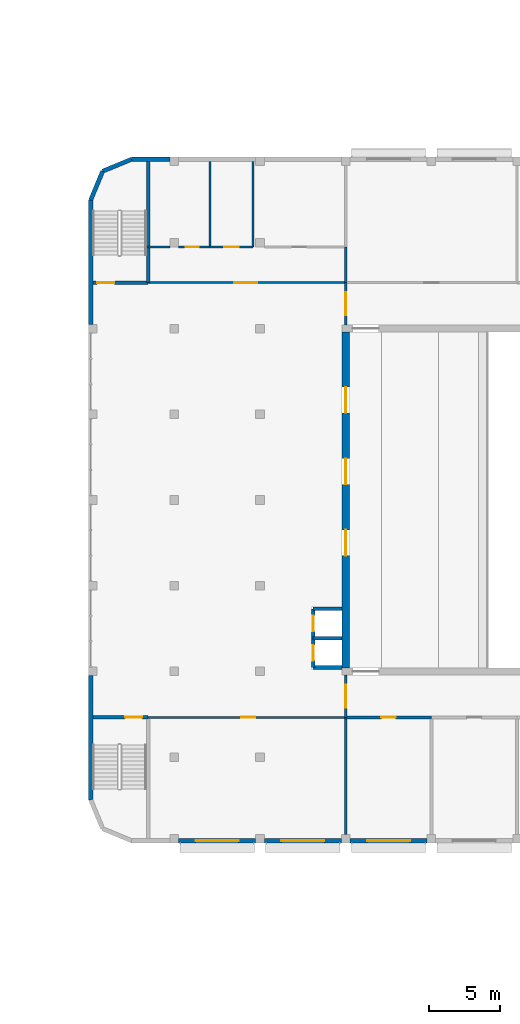
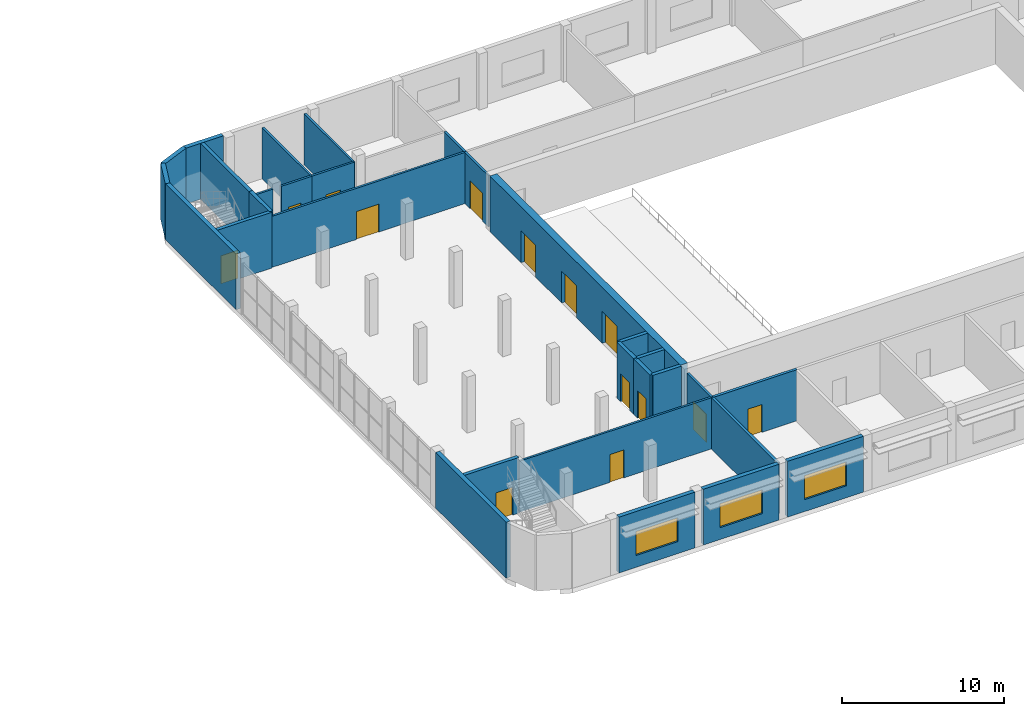
# One storey, part 20 of 45: 30 walls, 14 doors, 3 windows, 17 openings.
"""IFC4 building model written with IfcOpenShell, lengths in metres."""

from ifc_helpers import new_model, si_unit, direction, frame, frame_2d, origin, place, context, subcontext, project, spatial, rectangle, extrude, material, layer, layer_set, type_object, element, fill, save


model = new_model("IFC4")

# Units and contexts
model_context = context("Model", 3, precision=1e-05, world=origin(), true_north=direction((0.0, 1.0)))
body_context = subcontext(model_context, "Body", "Model", "MODEL_VIEW")
ifc_project = project(units=[si_unit("LENGTHUNIT", "METRE"), si_unit("AREAUNIT", "SQUARE_METRE"), si_unit("VOLUMEUNIT", "CUBIC_METRE"), si_unit("PLANEANGLEUNIT", "RADIAN"), si_unit("MASSUNIT", "GRAM", prefix="KILO")], contexts=[model_context])

# Site, building, storey
site_placement = place(None, origin())
site = spatial("IfcSite", under=ifc_project, at=site_placement, CompositionType="ELEMENT")
building_placement = place(site_placement, origin())
building = spatial("IfcBuilding", under=site, at=building_placement, Name="Nakaniwa Court", CompositionType="ELEMENT")
storey_placement = place(building_placement, frame((0.0, 0.0, 11.39990234375)))
storey = spatial("IfcBuildingStorey", under=building, at=storey_placement, Name="L02", CompositionType="ELEMENT", Elevation=11.39990234375)

# Wall
ifc_material_1 = material(Name="Double steel stud acoustic partition with mineral wool", Category="steel")
ifc_layer_1 = layer(ifc_material_1, 0.199951171875)
ifc_layer_set_1 = layer_set([ifc_layer_1], Name="Double steel stud acoustic partition with mineral wool")
wall_type_1 = type_object("IfcWallType", Name="Acoustic partition 200", PredefinedType="PARTITIONING", material=ifc_layer_set_1)
wall_1_placement = place(storey_placement, frame((170.0, 64.784912109375, 0.0), z_axis=(0.0, 0.0, 1.0), x_axis=(0.0, -1.0, 0.0)))
element("IfcWall", 1, at=wall_1_placement, inside=storey, type_object=wall_type_1, Name="L02 partition wall 19", PredefinedType="PARTITIONING", context=body_context, shape_type="SweptSolid", body=[
    extrude(rectangle(XDim=8.184814453125, YDim=0.199951171875, at=frame_2d((4.09228515625, 0.0))), origin(), (0.0, 0.0, 1.0), 3.85009765625),
])

# Wall, opening, door
wall_2_placement = place(storey_placement, frame((176.0, 64.784912109375, 0.0), z_axis=(0.0, 0.0, 1.0), x_axis=(-1.0, 0.0, 0.0)))
wall_2 = element("IfcWall", 2, at=wall_2_placement, inside=storey, type_object=wall_type_1, Name="L02 partition wall 20", PredefinedType="PARTITIONING", context=body_context, shape_type="SweptSolid", body=[
    extrude(rectangle(XDim=6.0, YDim=0.199951171875, at=frame_2d((3.0, 0.0))), origin(), (0.0, 0.0, 1.0), 3.85009765625),
])
opening_1_placement = place(wall_2_placement, frame((2.5, 0.0, 0.0)))
opening_1 = element("IfcOpeningElement", 3, at=opening_1_placement, cuts=wall_2, Name="Opening HD-86", PredefinedType="OPENING", context=body_context, shape_type="SweptSolid", body=[
    extrude(rectangle(XDim=1.0, YDim=2.10009765625, at=frame_2d((0.5, 1.050048828125))), frame((0.0, 0.10986328125, 0.0), z_axis=(0.0, -1.0, 0.0), x_axis=(1.0, 0.0, 0.0)), (0.0, 0.0, 1.0), 0.219970703125),
])
ifc_material_2 = material(Name="Solid-core timber door leaf in steel frame", Category="steel")
door_type_1 = type_object("IfcDoorType", Name="Hall door 1000x2100", OperationType="SINGLE_SWING_LEFT", PredefinedType="DOOR", material=ifc_material_2)
door_1_placement = place(opening_1_placement, origin())
door_1 = element("IfcDoor", 4, at=door_1_placement, inside=storey, type_object=door_type_1, Name="L02 door Practice-room-1", OperationType="SINGLE_SWING_LEFT", OverallHeight=2.10009765625, OverallWidth=1.0, PredefinedType="DOOR", context=body_context, shape_type="SweptSolid", body=[
    extrude(rectangle(XDim=1.0, YDim=2.10009765625, at=frame_2d((0.5, 1.050048828125))), frame((0.0, 0.02490234375, 0.0), z_axis=(0.0, -1.0, 0.0), x_axis=(1.0, 0.0, 0.0)), (0.0, 0.0, 1.0), 0.050048828125),
])
fill(opening_1, door_1)

# Wall, openings, doors
ifc_material_3 = material(Name="Concrete C50/60", Category="concrete")
ifc_layer_2 = layer(ifc_material_3, 0.5)
ifc_layer_set_2 = layer_set([ifc_layer_2], Name="Concrete C50/60")
wall_type_2 = type_object("IfcWallType", Name="Auditorium acoustic mass wall RC 500", PredefinedType="SHEAR", material=ifc_layer_set_2)
wall_3_placement = place(storey_placement, frame((170.0, 68.25, 0.0), z_axis=(0.0, 0.0, 1.0), x_axis=(0.0, 1.0, 0.0)))
wall_3 = element("IfcWall", 5, at=wall_3_placement, inside=storey, type_object=wall_type_2, Name="Auditorium west wall L02", PredefinedType="SHEAR", context=body_context, shape_type="SweptSolid", body=[
    extrude(rectangle(XDim=23.5, YDim=0.5, at=frame_2d((11.75, 0.0))), origin(), (0.0, 0.0, 1.0), 4.2001953125),
])
opening_2_placement = place(wall_3_placement, frame((7.85009765625, 0.0, 0.0)))
opening_2 = element("IfcOpeningElement", 6, at=opening_2_placement, cuts=wall_3, Name="Opening HD-105", PredefinedType="OPENING", context=body_context, shape_type="SweptSolid", body=[
    extrude(rectangle(XDim=1.800048828125, YDim=2.39990234375, at=frame_2d((0.89990234375, 1.199951171875))), frame((0.0, 0.260009765625, 0.0), z_axis=(0.0, -1.0, 0.0), x_axis=(1.0, 0.0, 0.0)), (0.0, 0.0, 1.0), 0.52001953125),
])
opening_3_placement = place(wall_3_placement, frame((12.85009765625, 0.0, 0.0)))
opening_3 = element("IfcOpeningElement", 7, at=opening_3_placement, cuts=wall_3, Name="Opening HD-106", PredefinedType="OPENING", context=body_context, shape_type="SweptSolid", body=[
    extrude(rectangle(XDim=1.800048828125, YDim=2.39990234375, at=frame_2d((0.89990234375, 1.199951171875))), frame((0.0, 0.260009765625, 0.0), z_axis=(0.0, -1.0, 0.0), x_axis=(1.0, 0.0, 0.0)), (0.0, 0.0, 1.0), 0.52001953125),
])
opening_4_placement = place(wall_3_placement, frame((17.85009765625, 0.0, 0.0)))
opening_4 = element("IfcOpeningElement", 8, at=opening_4_placement, cuts=wall_3, Name="Opening HD-107", PredefinedType="OPENING", context=body_context, shape_type="SweptSolid", body=[
    extrude(rectangle(XDim=1.800048828125, YDim=2.39990234375, at=frame_2d((0.89990234375, 1.199951171875))), frame((0.0, 0.260009765625, 0.0), z_axis=(0.0, -1.0, 0.0), x_axis=(1.0, 0.0, 0.0)), (0.0, 0.0, 1.0), 0.52001953125),
])
ifc_material_4 = material(Name="Acoustic solid-core timber double leaf in steel frame", Category="steel")
door_type_2 = type_object("IfcDoorType", Name="Hall acoustic double door 1800x2400", OperationType="DOUBLE_DOOR_SINGLE_SWING", PredefinedType="DOOR", material=ifc_material_4)
door_2_placement = place(opening_2_placement, origin())
door_2 = element("IfcDoor", 9, at=door_2_placement, inside=storey, type_object=door_type_2, Name="L02 door stalls-W1", OperationType="DOUBLE_DOOR_SINGLE_SWING", OverallHeight=2.39990234375, OverallWidth=1.800048828125, PredefinedType="DOOR", context=body_context, shape_type="SweptSolid", body=[
    extrude(rectangle(XDim=1.800048828125, YDim=2.39990234375, at=frame_2d((0.89990234375, 1.199951171875))), frame((0.0, 0.02490234375, 0.0), z_axis=(0.0, -1.0, 0.0), x_axis=(1.0, 0.0, 0.0)), (0.0, 0.0, 1.0), 0.050048828125),
])
fill(opening_2, door_2)
door_3_placement = place(opening_3_placement, origin())
door_3 = element("IfcDoor", 10, at=door_3_placement, inside=storey, type_object=door_type_2, Name="L02 door stalls-W2", OperationType="DOUBLE_DOOR_SINGLE_SWING", OverallHeight=2.39990234375, OverallWidth=1.800048828125, PredefinedType="DOOR", context=body_context, shape_type="SweptSolid", body=[
    extrude(rectangle(XDim=1.800048828125, YDim=2.39990234375, at=frame_2d((0.89990234375, 1.199951171875))), frame((0.0, 0.02490234375, 0.0), z_axis=(0.0, -1.0, 0.0), x_axis=(1.0, 0.0, 0.0)), (0.0, 0.0, 1.0), 0.050048828125),
])
fill(opening_3, door_3)
door_4_placement = place(opening_4_placement, origin())
door_4 = element("IfcDoor", 11, at=door_4_placement, inside=storey, type_object=door_type_2, Name="L02 door stalls-W3", OperationType="DOUBLE_DOOR_SINGLE_SWING", OverallHeight=2.39990234375, OverallWidth=1.800048828125, PredefinedType="DOOR", context=body_context, shape_type="SweptSolid", body=[
    extrude(rectangle(XDim=1.800048828125, YDim=2.39990234375, at=frame_2d((0.89990234375, 1.199951171875))), frame((0.0, 0.02490234375, 0.0), z_axis=(0.0, -1.0, 0.0), x_axis=(1.0, 0.0, 0.0)), (0.0, 0.0, 1.0), 0.050048828125),
])
fill(opening_4, door_4)

# Walls
ifc_layer_3 = layer(ifc_material_3, 0.300048828125)
ifc_layer_set_3 = layer_set([ifc_layer_3], Name="Concrete C50/60")
wall_type_3 = type_object("IfcWallType", Name="Fair faced concrete wall 300", PredefinedType="SOLIDWALL", material=ifc_layer_set_3)
for number, where, z_axis, x_axis, name in (
    (12, (152.14990234375, 59.0, 0.0), (0.0, 0.0, 1.0), (0.0, 1.0, 0.0), "Facade wall L02 3"),
    (13, (152.14990234375, 92.300048828125, 0.0), (0.0, 0.0, 1.0), (0.0, 1.0, 0.0), "Facade wall L02 8"),
):
    element("IfcWall", number, at=place(storey_placement, frame(where, z_axis=z_axis, x_axis=x_axis)), inside=storey, type_object=wall_type_3, Name=name, PredefinedType="SOLIDWALL", context=body_context, shape_type="SweptSolid", body=[
        extrude(rectangle(XDim=8.699951171875, YDim=0.300048828125, at=frame_2d((4.35009765625, 0.0))), origin(), (0.0, 0.0, 1.0), 4.2001953125),
    ])
for number, where, z_axis, x_axis, name in (
    (14, (152.14990234375, 101.0, 0.0), (0.0, 0.0, 1.0), (0.382651625058, 0.923892706888, 0.0), "Facade wall L02 9"),
    (15, (152.984619140625, 103.015380859375, 0.0), (0.0, 0.0, 1.0), (0.923892706888, 0.382651625058, 0.0), "Facade wall L02 10"),
):
    element("IfcWall", number, at=place(storey_placement, frame(where, z_axis=z_axis, x_axis=x_axis)), inside=storey, type_object=wall_type_3, Name=name, PredefinedType="SOLIDWALL", context=body_context, shape_type="SweptSolid", body=[
        extrude(rectangle(XDim=2.181396484375, YDim=0.300048828125, at=frame_2d((1.0908203125, 0.0))), origin(), (0.0, 0.0, 1.0), 4.2001953125),
    ])
wall_4_placement = place(storey_placement, frame((155.0, 103.85009765625, 0.0), z_axis=(0.0, 0.0, 1.0), x_axis=(1.0, 0.0, 0.0)))
element("IfcWall", 16, at=wall_4_placement, inside=storey, type_object=wall_type_3, Name="Facade wall L02 11", PredefinedType="SOLIDWALL", context=body_context, shape_type="SweptSolid", body=[
    extrude(rectangle(XDim=2.699951171875, YDim=0.300048828125, at=frame_2d((1.35009765625, 0.0))), origin(), (0.0, 0.0, 1.0), 4.2001953125),
])

# Wall, opening, window
wall_5_placement = place(storey_placement, frame((175.699951171875, 56.14990234375, 0.0), z_axis=(0.0, 0.0, 1.0), x_axis=(-1.0, 0.0, 0.0)))
wall_5 = element("IfcWall", 17, at=wall_5_placement, inside=storey, type_object=wall_type_3, Name="Facade wall L02 39", PredefinedType="SOLIDWALL", context=body_context, shape_type="SweptSolid", body=[
    extrude(rectangle(XDim=5.39990234375, YDim=0.300048828125, at=frame_2d((2.699951171875, 0.0))), origin(), (0.0, 0.0, 1.0), 4.2001953125),
])
opening_5_placement = place(wall_5_placement, frame((1.199951171875, 0.0, 0.89990234375)))
opening_5 = element("IfcOpeningElement", 18, at=opening_5_placement, cuts=wall_5, Name="Opening HWN-49", PredefinedType="OPENING", context=body_context, shape_type="SweptSolid", body=[
    extrude(rectangle(XDim=3.0, YDim=1.800048828125, at=frame_2d((1.5, 0.89990234375))), frame((0.0, 0.159912109375, 0.0), z_axis=(0.0, -1.0, 0.0), x_axis=(1.0, 0.0, 0.0)), (0.0, 0.0, 1.0), 0.320068359375),
])
ifc_material_5 = material(Name="Black powder-coated aluminium frame with dark glass", Category="aluminium")
window_type = type_object("IfcWindowType", Name="Hall window 3000x1800", PartitioningType="SINGLE_PANEL", PredefinedType="WINDOW", material=ifc_material_5)
window_1_placement = place(opening_5_placement, origin())
window_1 = element("IfcWindow", 19, at=window_1_placement, inside=storey, type_object=window_type, Name="Window L02:038", OverallHeight=1.800048828125, OverallWidth=3.0, PartitioningType="SINGLE_PANEL", PredefinedType="WINDOW", context=body_context, shape_type="SweptSolid", body=[
    extrude(rectangle(XDim=3.0, YDim=1.800048828125, at=frame_2d((1.5, 0.89990234375))), frame((0.0, 0.030029296875, 0.0), z_axis=(0.0, -1.0, 0.0), x_axis=(1.0, 0.0, 0.0)), (0.0, 0.0, 1.0), 0.06005859375),
])
fill(opening_5, window_1)

wall_6_placement = place(storey_placement, frame((169.699951171875, 56.14990234375, 0.0), z_axis=(0.0, 0.0, 1.0), x_axis=(-1.0, 0.0, 0.0)))
wall_6 = element("IfcWall", 20, at=wall_6_placement, inside=storey, type_object=wall_type_3, Name="Facade wall L02 40", PredefinedType="SOLIDWALL", context=body_context, shape_type="SweptSolid", body=[
    extrude(rectangle(XDim=5.39990234375, YDim=0.300048828125, at=frame_2d((2.699951171875, 0.0))), origin(), (0.0, 0.0, 1.0), 4.2001953125),
])
opening_6_placement = place(wall_6_placement, frame((1.199951171875, 0.0, 0.89990234375)))
opening_6 = element("IfcOpeningElement", 21, at=opening_6_placement, cuts=wall_6, Name="Opening HWN-50", PredefinedType="OPENING", context=body_context, shape_type="SweptSolid", body=[
    extrude(rectangle(XDim=3.0, YDim=1.800048828125, at=frame_2d((1.5, 0.89990234375))), frame((0.0, 0.159912109375, 0.0), z_axis=(0.0, -1.0, 0.0), x_axis=(1.0, 0.0, 0.0)), (0.0, 0.0, 1.0), 0.320068359375),
])
window_2_placement = place(opening_6_placement, origin())
window_2 = element("IfcWindow", 22, at=window_2_placement, inside=storey, type_object=window_type, Name="Window L02:039", OverallHeight=1.800048828125, OverallWidth=3.0, PartitioningType="SINGLE_PANEL", PredefinedType="WINDOW", context=body_context, shape_type="SweptSolid", body=[
    extrude(rectangle(XDim=3.0, YDim=1.800048828125, at=frame_2d((1.5, 0.89990234375))), frame((0.0, 0.030029296875, 0.0), z_axis=(0.0, -1.0, 0.0), x_axis=(1.0, 0.0, 0.0)), (0.0, 0.0, 1.0), 0.06005859375),
])
fill(opening_6, window_2)

wall_7_placement = place(storey_placement, frame((163.699951171875, 56.14990234375, 0.0), z_axis=(0.0, 0.0, 1.0), x_axis=(-1.0, 0.0, 0.0)))
wall_7 = element("IfcWall", 23, at=wall_7_placement, inside=storey, type_object=wall_type_3, Name="Facade wall L02 41", PredefinedType="SOLIDWALL", context=body_context, shape_type="SweptSolid", body=[
    extrude(rectangle(XDim=5.39990234375, YDim=0.300048828125, at=frame_2d((2.699951171875, 0.0))), origin(), (0.0, 0.0, 1.0), 4.2001953125),
])
opening_7_placement = place(wall_7_placement, frame((1.199951171875, 0.0, 0.89990234375)))
opening_7 = element("IfcOpeningElement", 24, at=opening_7_placement, cuts=wall_7, Name="Opening HWN-51", PredefinedType="OPENING", context=body_context, shape_type="SweptSolid", body=[
    extrude(rectangle(XDim=3.0, YDim=1.800048828125, at=frame_2d((1.5, 0.89990234375))), frame((0.0, 0.159912109375, 0.0), z_axis=(0.0, -1.0, 0.0), x_axis=(1.0, 0.0, 0.0)), (0.0, 0.0, 1.0), 0.320068359375),
])
window_3_placement = place(opening_7_placement, origin())
window_3 = element("IfcWindow", 25, at=window_3_placement, inside=storey, type_object=window_type, Name="Window L02:040", OverallHeight=1.800048828125, OverallWidth=3.0, PartitioningType="SINGLE_PANEL", PredefinedType="WINDOW", context=body_context, shape_type="SweptSolid", body=[
    extrude(rectangle(XDim=3.0, YDim=1.800048828125, at=frame_2d((1.5, 0.89990234375))), frame((0.0, 0.030029296875, 0.0), z_axis=(0.0, -1.0, 0.0), x_axis=(1.0, 0.0, 0.0)), (0.0, 0.0, 1.0), 0.06005859375),
])
fill(opening_7, window_3)

# Wall, opening, door
ifc_material_6 = material(Name="Concrete C40/50", Category="concrete")
ifc_layer_4 = layer(ifc_material_6, 0.25)
ifc_layer_set_4 = layer_set([ifc_layer_4], Name="Concrete C40/50")
wall_type_4 = type_object("IfcWallType", Name="Fire isolated shaft wall RC 250", PredefinedType="SOLIDWALL", material=ifc_layer_set_4)
wall_8_placement = place(storey_placement, frame((156.175048828125, 64.784912109375, 0.0), z_axis=(0.0, 0.0, 1.0), x_axis=(-1.0, 0.0, 0.0)))
wall_8 = element("IfcWall", 26, at=wall_8_placement, inside=storey, type_object=wall_type_4, Name="L02 shaft wall 1", PredefinedType="SOLIDWALL", context=body_context, shape_type="SweptSolid", body=[
    extrude(rectangle(XDim=3.875, YDim=0.25, at=frame_2d((1.9375, 0.0))), origin(), (0.0, 0.0, 1.0), 4.2001953125),
])
opening_8_placement = place(wall_8_placement, frame((0.425048828125, 0.0, 0.0)))
opening_8 = element("IfcOpeningElement", 27, at=opening_8_placement, cuts=wall_8, Name="Opening HD-79", PredefinedType="OPENING", context=body_context, shape_type="SweptSolid", body=[
    extrude(rectangle(XDim=1.199951171875, YDim=2.10009765625, at=frame_2d((0.60009765625, 1.050048828125))), frame((0.0, 0.135009765625, 0.0), z_axis=(0.0, -1.0, 0.0), x_axis=(1.0, 0.0, 0.0)), (0.0, 0.0, 1.0), 0.27001953125),
])
ifc_material_7 = material(Name="Insulated steel door leaf in steel frame", Category="steel")
door_type_3 = type_object("IfcDoorType", Name="Hall stair door 1200x2100", OperationType="SINGLE_SWING_LEFT", PredefinedType="DOOR", material=ifc_material_7)
door_5_placement = place(opening_8_placement, origin())
door_5 = element("IfcDoor", 28, at=door_5_placement, inside=storey, type_object=door_type_3, Name="L02 door Exit-stair-H1", OperationType="SINGLE_SWING_LEFT", OverallHeight=2.10009765625, OverallWidth=1.199951171875, PredefinedType="DOOR", context=body_context, shape_type="SweptSolid", body=[
    extrude(rectangle(XDim=1.199951171875, YDim=2.10009765625, at=frame_2d((0.60009765625, 1.050048828125))), frame((0.0, 0.02490234375, 0.0), z_axis=(0.0, -1.0, 0.0), x_axis=(1.0, 0.0, 0.0)), (0.0, 0.0, 1.0), 0.050048828125),
])
fill(opening_8, door_5)

wall_9_placement = place(storey_placement, frame((152.300048828125, 95.215087890625, 0.0), z_axis=(0.0, 0.0, 1.0), x_axis=(1.0, 0.0, 0.0)))
wall_9 = element("IfcWall", 29, at=wall_9_placement, inside=storey, type_object=wall_type_4, Name="L02 shaft wall 2", PredefinedType="SOLIDWALL", context=body_context, shape_type="SweptSolid", body=[
    extrude(rectangle(XDim=3.875, YDim=0.25, at=frame_2d((1.9375, 0.0))), origin(), (0.0, 0.0, 1.0), 4.2001953125),
])
opening_9_placement = place(wall_9_placement, frame((0.300048828125, 0.0, 0.0)))
opening_9 = element("IfcOpeningElement", 30, at=opening_9_placement, cuts=wall_9, Name="Opening HD-80", PredefinedType="OPENING", context=body_context, shape_type="SweptSolid", body=[
    extrude(rectangle(XDim=1.199951171875, YDim=2.10009765625, at=frame_2d((0.60009765625, 1.050048828125))), frame((0.0, 0.135009765625, 0.0), z_axis=(0.0, -1.0, 0.0), x_axis=(1.0, 0.0, 0.0)), (0.0, 0.0, 1.0), 0.27001953125),
])
door_6_placement = place(opening_9_placement, origin())
door_6 = element("IfcDoor", 31, at=door_6_placement, inside=storey, type_object=door_type_3, Name="L02 door Exit-stair-H2", OperationType="SINGLE_SWING_RIGHT", OverallHeight=2.10009765625, OverallWidth=1.199951171875, PredefinedType="DOOR", context=body_context, shape_type="SweptSolid", body=[
    extrude(rectangle(XDim=1.199951171875, YDim=2.10009765625, at=frame_2d((0.60009765625, 1.050048828125))), frame((0.0, 0.02490234375, 0.0), z_axis=(0.0, -1.0, 0.0), x_axis=(1.0, 0.0, 0.0)), (0.0, 0.0, 1.0), 0.050048828125),
])
fill(opening_9, door_6)

# Walls
wall_10_placement = place(storey_placement, frame((156.175048828125, 97.715087890625, 0.0), z_axis=(0.0, 0.0, 1.0), x_axis=(0.0, -1.0, 0.0)))
element("IfcWall", 32, at=wall_10_placement, inside=storey, type_object=wall_type_4, Name="L02 shaft wall 6", PredefinedType="SOLIDWALL", context=body_context, shape_type="SweptSolid", body=[
    extrude(rectangle(XDim=2.5, YDim=0.25, at=frame_2d((1.25, 0.0))), origin(), (0.0, 0.0, 1.0), 4.2001953125),
])
wall_11_placement = place(storey_placement, frame((156.175048828125, 103.699951171875, 0.0), z_axis=(0.0, 0.0, 1.0), x_axis=(0.0, -1.0, 0.0)))
element("IfcWall", 33, at=wall_11_placement, inside=storey, type_object=wall_type_4, Name="L02 shaft wall 9", PredefinedType="SOLIDWALL", context=body_context, shape_type="SweptSolid", body=[
    extrude(rectangle(XDim=5.98486328125, YDim=0.25, at=frame_2d((2.992431640625, 0.0))), origin(), (0.0, 0.0, 1.0), 4.2001953125),
])
for number, where, z_axis, x_axis, name in (
    (34, (167.72509765625, 70.324951171875, 0.0), (0.0, 0.0, 1.0), (1.0, 0.0, 0.0), "L02 shaft wall 14"),
    (35, (169.75, 72.375, 0.0), (0.0, 0.0, 1.0), (-1.0, 0.0, 0.0), "L02 shaft wall 15"),
):
    element("IfcWall", number, at=place(storey_placement, frame(where, z_axis=z_axis, x_axis=x_axis)), inside=storey, type_object=wall_type_4, Name=name, PredefinedType="SOLIDWALL", context=body_context, shape_type="SweptSolid", body=[
        extrude(rectangle(XDim=2.02490234375, YDim=0.25, at=frame_2d((1.012451171875, 0.0))), origin(), (0.0, 0.0, 1.0), 4.2001953125),
    ])

# Wall, opening, door
wall_12_placement = place(storey_placement, frame((167.72509765625, 72.375, 0.0), z_axis=(0.0, 0.0, 1.0), x_axis=(0.0, -1.0, 0.0)))
wall_12 = element("IfcWall", 36, at=wall_12_placement, inside=storey, type_object=wall_type_4, Name="L02 shaft wall 16", PredefinedType="SOLIDWALL", context=body_context, shape_type="SweptSolid", body=[
    extrude(rectangle(XDim=2.050048828125, YDim=0.25, at=frame_2d((1.02490234375, 0.0))), origin(), (0.0, 0.0, 1.0), 4.2001953125),
])
opening_10_placement = place(wall_12_placement, frame((0.47509765625, 0.0, 0.0)))
opening_10 = element("IfcOpeningElement", 37, at=opening_10_placement, cuts=wall_12, Name="Opening LD-01", PredefinedType="OPENING", context=body_context, shape_type="SweptSolid", body=[
    extrude(rectangle(XDim=1.10009765625, YDim=2.10009765625, at=frame_2d((0.550048828125, 1.050048828125))), frame((0.0, 0.135009765625, 0.0), z_axis=(0.0, -1.0, 0.0), x_axis=(1.0, 0.0, 0.0)), (0.0, 0.0, 1.0), 0.27001953125),
])
ifc_material_8 = material(Name="Brushed stainless steel sliding landing door", Category="steel")
door_type_4 = type_object("IfcDoorType", Name="Hall lift landing door 1100x2100", OperationType="SLIDING_TO_LEFT", PredefinedType="DOOR", material=ifc_material_8)
door_7_placement = place(opening_10_placement, origin())
door_7 = element("IfcDoor", 38, at=door_7_placement, inside=storey, type_object=door_type_4, Name="L02 lift landing door HL2", OperationType="SLIDING_TO_LEFT", OverallHeight=2.10009765625, OverallWidth=1.10009765625, PredefinedType="DOOR", context=body_context, shape_type="SweptSolid", body=[
    extrude(rectangle(XDim=1.10009765625, YDim=2.10009765625, at=frame_2d((0.550048828125, 1.050048828125))), frame((0.0, 0.02490234375, 0.0), z_axis=(0.0, -1.0, 0.0), x_axis=(1.0, 0.0, 0.0)), (0.0, 0.0, 1.0), 0.050048828125),
])
fill(opening_10, door_7)

wall_13_placement = place(storey_placement, frame((167.72509765625, 70.324951171875, 0.0), z_axis=(0.0, 0.0, 1.0), x_axis=(0.0, -1.0, 0.0)))
wall_13 = element("IfcWall", 39, at=wall_13_placement, inside=storey, type_object=wall_type_4, Name="L02 shaft wall 17", PredefinedType="SOLIDWALL", context=body_context, shape_type="SweptSolid", body=[
    extrude(rectangle(XDim=2.050048828125, YDim=0.25, at=frame_2d((1.02490234375, 0.0))), origin(), (0.0, 0.0, 1.0), 4.2001953125),
])
opening_11_placement = place(wall_13_placement, frame((0.47509765625, 0.0, 0.0)))
opening_11 = element("IfcOpeningElement", 40, at=opening_11_placement, cuts=wall_13, Name="Opening LD-02", PredefinedType="OPENING", context=body_context, shape_type="SweptSolid", body=[
    extrude(rectangle(XDim=1.10009765625, YDim=2.10009765625, at=frame_2d((0.550048828125, 1.050048828125))), frame((0.0, 0.135009765625, 0.0), z_axis=(0.0, -1.0, 0.0), x_axis=(1.0, 0.0, 0.0)), (0.0, 0.0, 1.0), 0.27001953125),
])
door_8_placement = place(opening_11_placement, origin())
door_8 = element("IfcDoor", 41, at=door_8_placement, inside=storey, type_object=door_type_4, Name="L02 lift landing door HL1", OperationType="SLIDING_TO_LEFT", OverallHeight=2.10009765625, OverallWidth=1.10009765625, PredefinedType="DOOR", context=body_context, shape_type="SweptSolid", body=[
    extrude(rectangle(XDim=1.10009765625, YDim=2.10009765625, at=frame_2d((0.550048828125, 1.050048828125))), frame((0.0, 0.02490234375, 0.0), z_axis=(0.0, -1.0, 0.0), x_axis=(1.0, 0.0, 0.0)), (0.0, 0.0, 1.0), 0.050048828125),
])
fill(opening_11, door_8)

# Wall
wall_14_placement = place(storey_placement, frame((167.72509765625, 68.27490234375, 0.0), z_axis=(0.0, 0.0, 1.0), x_axis=(1.0, 0.0, 0.0)))
element("IfcWall", 42, at=wall_14_placement, inside=storey, type_object=wall_type_4, Name="L02 shaft wall 18", PredefinedType="SOLIDWALL", context=body_context, shape_type="SweptSolid", body=[
    extrude(rectangle(XDim=2.02490234375, YDim=0.25, at=frame_2d((1.012451171875, 0.0))), origin(), (0.0, 0.0, 1.0), 4.2001953125),
])

# Wall, opening, door
ifc_material_9 = material(Name="Steel stud plasterboard partition", Category="steel")
ifc_layer_5 = layer(ifc_material_9, 0.14990234375)
ifc_layer_set_5 = layer_set([ifc_layer_5], Name="Steel stud plasterboard partition")
wall_type_5 = type_object("IfcWallType", Name="Partition 150", PredefinedType="PARTITIONING", material=ifc_layer_set_5)
wall_15_placement = place(storey_placement, frame((170.0, 64.784912109375, 0.0), z_axis=(0.0, 0.0, 1.0), x_axis=(-1.0, 0.0, 0.0)))
wall_15 = element("IfcWall", 43, at=wall_15_placement, inside=storey, type_object=wall_type_5, Name="L02 partition wall 4", PredefinedType="PARTITIONING", context=body_context, shape_type="SweptSolid", body=[
    extrude(rectangle(XDim=13.824951171875, YDim=0.14990234375, at=frame_2d((6.91259765625, 0.0))), origin(), (0.0, 0.0, 1.0), 3.85009765625),
])
opening_12_placement = place(wall_15_placement, frame((6.324951171875, 0.0, 0.0)))
opening_12 = element("IfcOpeningElement", 44, at=opening_12_placement, cuts=wall_15, Name="Opening HD-81", PredefinedType="OPENING", context=body_context, shape_type="SweptSolid", body=[
    extrude(rectangle(XDim=1.0, YDim=2.10009765625, at=frame_2d((0.5, 1.050048828125))), frame((0.0, 0.0849609375, 0.0), z_axis=(0.0, -1.0, 0.0), x_axis=(1.0, 0.0, 0.0)), (0.0, 0.0, 1.0), 0.169921875),
])
door_9_placement = place(opening_12_placement, origin())
door_9 = element("IfcDoor", 45, at=door_9_placement, inside=storey, type_object=door_type_1, Name="L02 door Hospitality-room", OperationType="SINGLE_SWING_RIGHT", OverallHeight=2.10009765625, OverallWidth=1.0, PredefinedType="DOOR", context=body_context, shape_type="SweptSolid", body=[
    extrude(rectangle(XDim=1.0, YDim=2.10009765625, at=frame_2d((0.5, 1.050048828125))), frame((0.0, 0.02490234375, 0.0), z_axis=(0.0, -1.0, 0.0), x_axis=(1.0, 0.0, 0.0)), (0.0, 0.0, 1.0), 0.050048828125),
])
fill(opening_12, door_9)

wall_16_placement = place(storey_placement, frame((156.175048828125, 95.215087890625, 0.0), z_axis=(0.0, 0.0, 1.0), x_axis=(1.0, 0.0, 0.0)))
wall_16 = element("IfcWall", 46, at=wall_16_placement, inside=storey, type_object=wall_type_5, Name="L02 partition wall 5", PredefinedType="PARTITIONING", context=body_context, shape_type="SweptSolid", body=[
    extrude(rectangle(XDim=13.824951171875, YDim=0.14990234375, at=frame_2d((6.91259765625, 0.0))), origin(), (0.0, 0.0, 1.0), 3.85009765625),
])
opening_13_placement = place(wall_16_placement, frame((6.02490234375, 0.0, 0.0)))
opening_13 = element("IfcOpeningElement", 47, at=opening_13_placement, cuts=wall_16, Name="Opening HD-82", PredefinedType="OPENING", context=body_context, shape_type="SweptSolid", body=[
    extrude(rectangle(XDim=1.60009765625, YDim=2.10009765625, at=frame_2d((0.800048828125, 1.050048828125))), frame((0.0, 0.0849609375, 0.0), z_axis=(0.0, -1.0, 0.0), x_axis=(1.0, 0.0, 0.0)), (0.0, 0.0, 1.0), 0.169921875),
])
door_type_5 = type_object("IfcDoorType", Name="Hall corridor double door 1600x2100", OperationType="DOUBLE_DOOR_SINGLE_SWING", PredefinedType="DOOR", material=ifc_material_2)
door_10_placement = place(opening_13_placement, origin())
door_10 = element("IfcDoor", 48, at=door_10_placement, inside=storey, type_object=door_type_5, Name="L02 door lobby", OperationType="DOUBLE_DOOR_SINGLE_SWING", OverallHeight=2.10009765625, OverallWidth=1.60009765625, PredefinedType="DOOR", context=body_context, shape_type="SweptSolid", body=[
    extrude(rectangle(XDim=1.60009765625, YDim=2.10009765625, at=frame_2d((0.800048828125, 1.050048828125))), frame((0.0, 0.02490234375, 0.0), z_axis=(0.0, -1.0, 0.0), x_axis=(1.0, 0.0, 0.0)), (0.0, 0.0, 1.0), 0.050048828125),
])
fill(opening_13, door_10)

wall_17_placement = place(storey_placement, frame((170.0, 67.75, 0.0), z_axis=(0.0, 0.0, 1.0), x_axis=(0.0, -1.0, 0.0)))
wall_17 = element("IfcWall", 49, at=wall_17_placement, inside=storey, type_object=wall_type_5, Name="L02 partition wall 21", PredefinedType="PARTITIONING", context=body_context, shape_type="SweptSolid", body=[
    extrude(rectangle(XDim=2.965087890625, YDim=0.14990234375, at=frame_2d((1.482421875, 0.0))), origin(), (0.0, 0.0, 1.0), 3.85009765625),
])
opening_14_placement = place(wall_17_placement, frame((0.6826171875, 0.0, 0.0)))
opening_14 = element("IfcOpeningElement", 50, at=opening_14_placement, cuts=wall_17, Name="Opening HD-87", PredefinedType="OPENING", context=body_context, shape_type="SweptSolid", body=[
    extrude(rectangle(XDim=1.60009765625, YDim=2.10009765625, at=frame_2d((0.800048828125, 1.050048828125))), frame((0.0, 0.0849609375, 0.0), z_axis=(0.0, -1.0, 0.0), x_axis=(1.0, 0.0, 0.0)), (0.0, 0.0, 1.0), 0.169921875),
])
door_11_placement = place(opening_14_placement, origin())
door_11 = element("IfcDoor", 51, at=door_11_placement, inside=storey, type_object=door_type_5, Name="L02 door foyer-corridor-1", OperationType="DOUBLE_DOOR_SINGLE_SWING", OverallHeight=2.10009765625, OverallWidth=1.60009765625, PredefinedType="DOOR", context=body_context, shape_type="SweptSolid", body=[
    extrude(rectangle(XDim=1.60009765625, YDim=2.10009765625, at=frame_2d((0.800048828125, 1.050048828125))), frame((0.0, 0.02490234375, 0.0), z_axis=(0.0, -1.0, 0.0), x_axis=(1.0, 0.0, 0.0)), (0.0, 0.0, 1.0), 0.050048828125),
])
fill(opening_14, door_11)

wall_18_placement = place(storey_placement, frame((170.0, 95.215087890625, 0.0), z_axis=(0.0, 0.0, 1.0), x_axis=(0.0, -1.0, 0.0)))
wall_18 = element("IfcWall", 52, at=wall_18_placement, inside=storey, type_object=wall_type_5, Name="L02 partition wall 22", PredefinedType="PARTITIONING", context=body_context, shape_type="SweptSolid", body=[
    extrude(rectangle(XDim=2.965087890625, YDim=0.14990234375, at=frame_2d((1.482421875, 0.0))), origin(), (0.0, 0.0, 1.0), 3.85009765625),
])
opening_15_placement = place(wall_18_placement, frame((0.6826171875, 0.0, 0.0)))
opening_15 = element("IfcOpeningElement", 53, at=opening_15_placement, cuts=wall_18, Name="Opening HD-88", PredefinedType="OPENING", context=body_context, shape_type="SweptSolid", body=[
    extrude(rectangle(XDim=1.60009765625, YDim=2.10009765625, at=frame_2d((0.800048828125, 1.050048828125))), frame((0.0, 0.0849609375, 0.0), z_axis=(0.0, -1.0, 0.0), x_axis=(1.0, 0.0, 0.0)), (0.0, 0.0, 1.0), 0.169921875),
])
door_12_placement = place(opening_15_placement, origin())
door_12 = element("IfcDoor", 54, at=door_12_placement, inside=storey, type_object=door_type_5, Name="L02 door foyer-corridor-2", OperationType="DOUBLE_DOOR_SINGLE_SWING", OverallHeight=2.10009765625, OverallWidth=1.60009765625, PredefinedType="DOOR", context=body_context, shape_type="SweptSolid", body=[
    extrude(rectangle(XDim=1.60009765625, YDim=2.10009765625, at=frame_2d((0.800048828125, 1.050048828125))), frame((0.0, 0.02490234375, 0.0), z_axis=(0.0, -1.0, 0.0), x_axis=(1.0, 0.0, 0.0)), (0.0, 0.0, 1.0), 0.050048828125),
])
fill(opening_15, door_12)

# Walls
wall_19_placement = place(storey_placement, frame((170.0, 97.715087890625, 0.0), z_axis=(0.0, 0.0, 1.0), x_axis=(0.0, -1.0, 0.0)))
element("IfcWall", 55, at=wall_19_placement, inside=storey, type_object=wall_type_5, Name="L02 partition wall 24", PredefinedType="PARTITIONING", context=body_context, shape_type="SweptSolid", body=[
    extrude(rectangle(XDim=2.5, YDim=0.14990234375, at=frame_2d((1.25, 0.0))), origin(), (0.0, 0.0, 1.0), 3.85009765625),
])
ifc_material_10 = material(Name="Moisture-resistant steel stud partition", Category="steel")
ifc_layer_6 = layer(ifc_material_10, 0.14990234375)
ifc_layer_set_6 = layer_set([ifc_layer_6], Name="Moisture-resistant steel stud partition")
wall_type_6 = type_object("IfcWallType", Name="Wet area partition 150", PredefinedType="PLUMBINGWALL", material=ifc_layer_set_6)
wall_20_placement = place(storey_placement, frame((156.175048828125, 97.715087890625, 0.0), z_axis=(0.0, 0.0, 1.0), x_axis=(1.0, 0.0, 0.0)))
element("IfcWall", 56, at=wall_20_placement, inside=storey, type_object=wall_type_6, Name="L02 partition wall 7", PredefinedType="PLUMBINGWALL", context=body_context, shape_type="SweptSolid", body=[
    extrude(rectangle(XDim=1.52490234375, YDim=0.14990234375, at=frame_2d((0.762451171875, 0.0))), origin(), (0.0, 0.0, 1.0), 3.85009765625),
])

# Wall, opening, door
wall_21_placement = place(storey_placement, frame((158.300048828125, 97.715087890625, 0.0), z_axis=(0.0, 0.0, 1.0), x_axis=(1.0, 0.0, 0.0)))
wall_21 = element("IfcWall", 57, at=wall_21_placement, inside=storey, type_object=wall_type_6, Name="L02 partition wall 8", PredefinedType="PLUMBINGWALL", context=body_context, shape_type="SweptSolid", body=[
    extrude(rectangle(XDim=2.199951171875, YDim=0.14990234375, at=frame_2d((1.10009765625, 0.0))), origin(), (0.0, 0.0, 1.0), 3.85009765625),
])
opening_16_placement = place(wall_21_placement, frame((0.5, 0.0, 0.0)))
opening_16 = element("IfcOpeningElement", 58, at=opening_16_placement, cuts=wall_21, Name="Opening HD-83", PredefinedType="OPENING", context=body_context, shape_type="SweptSolid", body=[
    extrude(rectangle(XDim=0.89990234375, YDim=2.10009765625, at=frame_2d((0.449951171875, 1.050048828125))), frame((0.0, 0.0849609375, 0.0), z_axis=(0.0, -1.0, 0.0), x_axis=(1.0, 0.0, 0.0)), (0.0, 0.0, 1.0), 0.169921875),
])
door_type_6 = type_object("IfcDoorType", Name="Hall door 900x2100", OperationType="SINGLE_SWING_LEFT", PredefinedType="DOOR", material=ifc_material_2)
door_13_placement = place(opening_16_placement, origin())
door_13 = element("IfcDoor", 59, at=door_13_placement, inside=storey, type_object=door_type_6, Name="L02 door Public-WC-(men)", OperationType="SINGLE_SWING_LEFT", OverallHeight=2.10009765625, OverallWidth=0.89990234375, PredefinedType="DOOR", context=body_context, shape_type="SweptSolid", body=[
    extrude(rectangle(XDim=0.89990234375, YDim=2.10009765625, at=frame_2d((0.449951171875, 1.050048828125))), frame((0.0, 0.02490234375, 0.0), z_axis=(0.0, -1.0, 0.0), x_axis=(1.0, 0.0, 0.0)), (0.0, 0.0, 1.0), 0.050048828125),
])
fill(opening_16, door_13)

wall_22_placement = place(storey_placement, frame((160.5, 97.715087890625, 0.0), z_axis=(0.0, 0.0, 1.0), x_axis=(1.0, 0.0, 0.0)))
wall_22 = element("IfcWall", 60, at=wall_22_placement, inside=storey, type_object=wall_type_6, Name="L02 partition wall 10", PredefinedType="PLUMBINGWALL", context=body_context, shape_type="SweptSolid", body=[
    extrude(rectangle(XDim=3.0, YDim=0.14990234375, at=frame_2d((1.5, 0.0))), origin(), (0.0, 0.0, 1.0), 3.85009765625),
])
opening_17_placement = place(wall_22_placement, frame((1.0, 0.0, 0.0)))
opening_17 = element("IfcOpeningElement", 61, at=opening_17_placement, cuts=wall_22, Name="Opening HD-84", PredefinedType="OPENING", context=body_context, shape_type="SweptSolid", body=[
    extrude(rectangle(XDim=1.0, YDim=2.10009765625, at=frame_2d((0.5, 1.050048828125))), frame((0.0, 0.0849609375, 0.0), z_axis=(0.0, -1.0, 0.0), x_axis=(1.0, 0.0, 0.0)), (0.0, 0.0, 1.0), 0.169921875),
])
door_14_placement = place(opening_17_placement, origin())
door_14 = element("IfcDoor", 62, at=door_14_placement, inside=storey, type_object=door_type_1, Name="L02 door Accessible-WC", OperationType="SINGLE_SWING_RIGHT", OverallHeight=2.10009765625, OverallWidth=1.0, PredefinedType="DOOR", context=body_context, shape_type="SweptSolid", body=[
    extrude(rectangle(XDim=1.0, YDim=2.10009765625, at=frame_2d((0.5, 1.050048828125))), frame((0.0, 0.02490234375, 0.0), z_axis=(0.0, -1.0, 0.0), x_axis=(1.0, 0.0, 0.0)), (0.0, 0.0, 1.0), 0.050048828125),
])
fill(opening_17, door_14)

# Walls
for number, where, z_axis, x_axis, name in (
    (63, (160.5, 103.699951171875, 0.0), (0.0, 0.0, 1.0), (0.0, -1.0, 0.0), "L02 partition wall 11"),
    (64, (163.5, 103.699951171875, 0.0), (0.0, 0.0, 1.0), (0.0, -1.0, 0.0), "L02 partition wall 13"),
):
    element("IfcWall", number, at=place(storey_placement, frame(where, z_axis=z_axis, x_axis=x_axis)), inside=storey, type_object=wall_type_6, Name=name, PredefinedType="PLUMBINGWALL", context=body_context, shape_type="SweptSolid", body=[
        extrude(rectangle(XDim=5.98486328125, YDim=0.14990234375, at=frame_2d((2.992431640625, 0.0))), origin(), (0.0, 0.0, 1.0), 3.85009765625),
    ])

save(model, "model.ifc")
